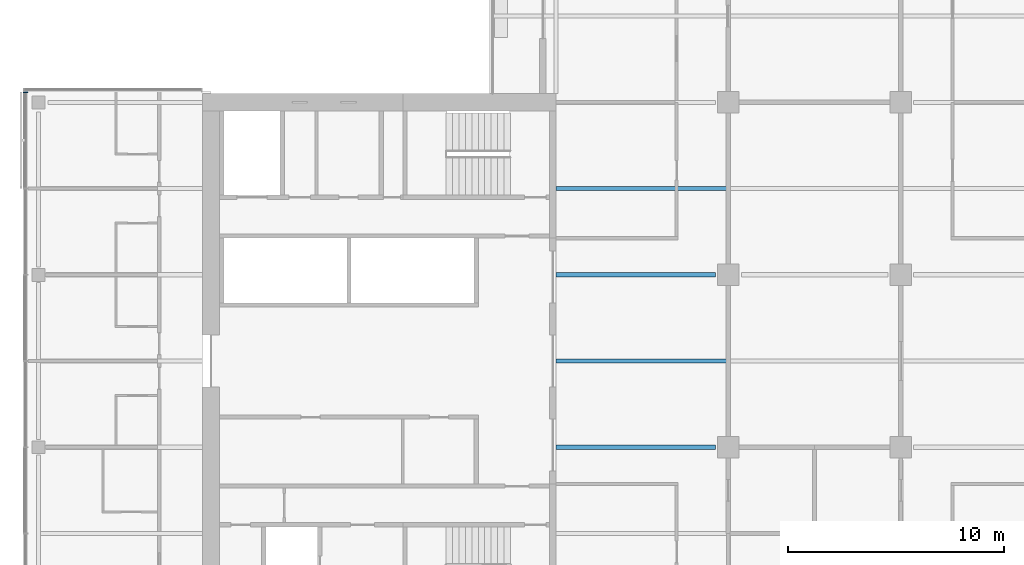
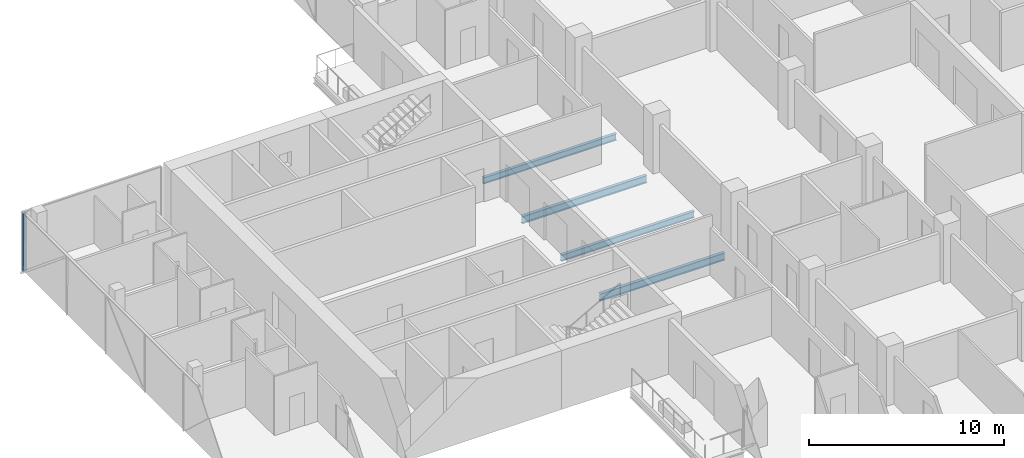
# One storey, part 6 of 25: 4 beams, 1 member, 1 element without a shape of its own.
"""IFC4 building model written with IfcOpenShell, lengths in metres."""

import ifcopenshell
import ifcopenshell.guid

model = None  # the IFC model being written
_history = None  # IfcOwnerHistory: only IFC2X3 demands one
_inside = {}  # id of a spatial element -> (the spatial element, [elements in it])
_under = {}  # id of a project, library or spatial element -> (it, [spatial elements below it])
_declared = {}  # id of a project -> (the project, [libraries it declares])
_typed = {}  # id of a type object -> (the type object, [elements of that type])
_made_of = {}  # id of a material, layer set ... -> (it, [elements and type objects made of it])


def new_model(schema):
    """Start an empty IFC model of exactly this schema.

    Asked for "IFC4X3", IfcOpenShell would pick the latest addendum, in which some entities
    have other attributes; the version numbers below select the first issue.
    IFC2X3 requires an IfcOwnerHistory on every rooted entity: one is made here for all.
    """
    global model, _history
    if schema == "IFC4X3":
        model = ifcopenshell.file(schema_version=(4, 3, 0, 0))
    else:
        model = ifcopenshell.file(schema=schema)
    _inside.clear()
    _under.clear()
    _declared.clear()
    _typed.clear()
    _made_of.clear()
    _history = None
    if model.schema == "IFC2X3":
        org = make("IfcOrganization", Name="unknown")
        user = make(
            "IfcPersonAndOrganization",
            ThePerson=make("IfcPerson", FamilyName="unknown"),
            TheOrganization=org,
        )
        app = make(
            "IfcApplication",
            ApplicationDeveloper=org,
            Version="unknown",
            ApplicationFullName="unknown",
            ApplicationIdentifier="unknown",
        )
        _history = make(
            "IfcOwnerHistory",
            OwningUser=user,
            OwningApplication=app,
            ChangeAction="ADDED",
            CreationDate=0,
        )
    return model


def make(cls, **values):
    """One entity of the class cls with the attributes given. An attribute that is None is left unset."""
    return model.create_entity(
        cls, **{name: value for name, value in values.items() if value is not None}
    )


def rooted(cls, **values):
    """An entity with a GlobalId (a new one), such as an element, a storey or a relation."""
    return make(cls, GlobalId=ifcopenshell.guid.new(), OwnerHistory=_history, **values)


def si_unit(unit_type, name, prefix=None):
    """IfcSIUnit, for example si_unit("LENGTHUNIT", "METRE", prefix="MILLI")."""
    return make("IfcSIUnit", UnitType=unit_type, Prefix=prefix, Name=name)


def assignment(units):
    """IfcUnitAssignment: the units of a project."""
    return None if units is None else make("IfcUnitAssignment", Units=units)


def point(xyz):
    """IfcCartesianPoint."""
    return None if xyz is None else make("IfcCartesianPoint", Coordinates=xyz)


def direction(xyz):
    """IfcDirection."""
    return None if xyz is None else make("IfcDirection", DirectionRatios=xyz)


def frame(location, z_axis=None, x_axis=None):
    """IfcAxis2Placement3D, a coordinate frame: its origin and axes. An axis left out is left unset."""
    return make(
        "IfcAxis2Placement3D",
        Location=point(location),
        Axis=direction(z_axis),
        RefDirection=direction(x_axis),
    )


def frame_2d(location, x_axis=None):
    """IfcAxis2Placement2D, a coordinate frame in the plane: its origin and x axis."""
    return make(
        "IfcAxis2Placement2D", Location=point(location), RefDirection=direction(x_axis)
    )


def origin():
    """The frame at (0, 0, 0) with its axes left unset."""
    return frame((0.0, 0.0, 0.0))


def origin_2d():
    """The frame at (0, 0) in the plane with its x axis left unset."""
    return frame_2d((0.0, 0.0))


def place(relative_to, where):
    """IfcLocalPlacement: puts the frame where relative to a parent placement (None: the world)."""
    return make(
        "IfcLocalPlacement", PlacementRelTo=relative_to, RelativePlacement=where
    )


def context(
    kind, dimensions, precision=None, world=None, true_north=None, identifier=None
):
    """IfcGeometricRepresentationContext, for example the 3D "Model" context."""
    return make(
        "IfcGeometricRepresentationContext",
        ContextIdentifier=identifier,
        ContextType=kind,
        CoordinateSpaceDimension=dimensions,
        Precision=precision,
        WorldCoordinateSystem=world,
        TrueNorth=true_north,
    )


def subcontext(parent, identifier, kind, view, scale=None):
    """IfcGeometricRepresentationSubContext, for example "Body" below "Model"."""
    return make(
        "IfcGeometricRepresentationSubContext",
        ContextIdentifier=identifier,
        ContextType=kind,
        ParentContext=parent,
        TargetScale=scale,
        TargetView=view,
    )


def project(units=None, contexts=None):
    """IfcProject with its units and contexts."""
    return rooted(
        "IfcProject",
        Name="project",
        RepresentationContexts=contexts,
        UnitsInContext=assignment(units),
    )


def spatial(cls, under=None, at=None, **own):
    """A site, building, storey or space (cls), placed at a placement, below another one or the project."""
    s = rooted(cls, ObjectPlacement=at, **own)
    if under is not None:
        _under.setdefault(under.id(), (under, []))[1].append(s)
    return s


def profile(cls, at=None, kind="AREA", **sizes):
    """A parametric profile (cls). Its sizes go by their IFC names, for example OverallWidth=200.0."""
    return make(cls, ProfileType=kind, Position=at, **sizes)


def rectangle(**sizes):
    """IfcRectangleProfileDef."""
    return profile("IfcRectangleProfileDef", **sizes)


def i_section(**sizes):
    """IfcIShapeProfileDef."""
    return profile("IfcIShapeProfileDef", **sizes)


def extrude(swept, where, along, depth):
    """IfcExtrudedAreaSolid: the profile swept, set in the frame where, extruded along a direction by depth."""
    return make(
        "IfcExtrudedAreaSolid",
        SweptArea=swept,
        Position=where,
        ExtrudedDirection=direction(along),
        Depth=depth,
    )


def shape(context_of_items, identifier, shape_type, items):
    """IfcShapeRepresentation: the items that make up one representation, for example the "Body"."""
    return make(
        "IfcShapeRepresentation",
        ContextOfItems=context_of_items,
        RepresentationIdentifier=identifier,
        RepresentationType=shape_type,
        Items=items,
    )


def material(Name=None, Category=None):
    """IfcMaterial."""
    return make("IfcMaterial", Name=Name, Category=Category)


def material_profile(
    of_material, cross_section, Name=None, Category=None, Priority=None
):
    """IfcMaterialProfile: a cross section and its material."""
    return make(
        "IfcMaterialProfile",
        Name=Name,
        Material=of_material,
        Profile=cross_section,
        Priority=Priority,
        Category=Category,
    )


def profile_set(profiles, Name=None, composite=None):
    """IfcMaterialProfileSet."""
    return make(
        "IfcMaterialProfileSet",
        Name=Name,
        MaterialProfiles=profiles,
        CompositeProfile=composite,
    )


def made_of(thing, what):
    """Note that an element or type object is made of a material, layer set ...; save() writes the relation."""
    if what is not None:
        _made_of.setdefault(what.id(), (what, []))[1].append(thing)
    return thing


def type_object(cls, material=None, **own):
    """A type object (cls), such as IfcWallType, which elements share."""
    return made_of(rooted(cls, **own), material)


def element(
    cls,
    number,
    at=None,
    inside=None,
    cuts=None,
    type_object=None,
    material=None,
    context=None,
    identifier="Body",
    shape_type=None,
    held_by="IfcProductDefinitionShape",
    body=None,
    shapes=None,
    **own,
):
    """One element of the class cls, such as IfcWall. Its Tag is "e" and its number.

    at: its placement. inside: the storey or other place that contains it. cuts: it is an
    opening in that element (IfcRelVoidsElement). A single representation is given by context,
    identifier, shape_type and body (its items); several are given by shapes. held_by: the class
    of the entity that holds the representations. save() writes the other relations.
    """
    e = rooted(cls, Tag="e%d" % number, ObjectPlacement=at, **own)
    if body is not None:
        shapes = [shape(context, identifier, shape_type, body)]
    if shapes is not None:
        e.Representation = make(held_by, Representations=shapes)
    if inside is not None:
        _inside.setdefault(inside.id(), (inside, []))[1].append(e)
    if cuts is not None:
        rooted(
            "IfcRelVoidsElement", RelatingBuildingElement=cuts, RelatedOpeningElement=e
        )
    if type_object is not None:
        _typed.setdefault(type_object.id(), (type_object, []))[1].append(e)
    return made_of(e, material)


def aggregate(whole, parts):
    """IfcRelAggregates: a whole, such as a stair, and the parts it consists of."""
    return rooted("IfcRelAggregates", RelatingObject=whole, RelatedObjects=parts)


def save(model, path):
    """Write the relations noted so far, then the file.

    IfcRelAggregates (storeys below a building ...), IfcRelContainedInSpatialStructure (elements
    in a storey), IfcRelDefinesByType, IfcRelAssociatesMaterial and IfcRelDeclares: one each for
    every whole, place, type object, material and project.
    """
    for whole, parts in _under.values():
        aggregate(whole, parts)
    for where, things in _inside.values():
        rooted(
            "IfcRelContainedInSpatialStructure",
            RelatedElements=things,
            RelatingStructure=where,
        )
    for kind, things in _typed.values():
        rooted("IfcRelDefinesByType", RelatedObjects=things, RelatingType=kind)
    for what, things in _made_of.values():
        rooted("IfcRelAssociatesMaterial", RelatedObjects=things, RelatingMaterial=what)
    for by, libraries in _declared.values():
        rooted("IfcRelDeclares", RelatingContext=by, RelatedDefinitions=libraries)
    model.write(path)


model = new_model("IFC4")

# Units and contexts
model_context = context("Model", 3, precision=1e-05, world=origin(), true_north=direction((0.0, 1.0)))
body_context = subcontext(model_context, "Body", "Model", "MODEL_VIEW")
ifc_project = project(units=[si_unit("LENGTHUNIT", "METRE"), si_unit("AREAUNIT", "SQUARE_METRE"), si_unit("VOLUMEUNIT", "CUBIC_METRE"), si_unit("PLANEANGLEUNIT", "RADIAN"), si_unit("MASSUNIT", "GRAM", prefix="KILO")], contexts=[model_context])

# Site, building, storey
site_placement = place(None, origin())
site = spatial("IfcSite", under=ifc_project, at=site_placement, CompositionType="ELEMENT")
building_placement = place(site_placement, origin())
building = spatial("IfcBuilding", under=site, at=building_placement, Name="Crosswind Convention Tower", CompositionType="ELEMENT")
storey_placement = place(building_placement, frame((0.0, 0.0, 97.89990234375)))
storey = spatial("IfcBuildingStorey", under=building, at=storey_placement, Name="L19", CompositionType="ELEMENT", Elevation=97.89990234375)

# Beams
ifc_material_1 = material(Name="Steel S355", Category="steel")
ifc_material_profile_1 = material_profile(ifc_material_1, i_section(OverallWidth=0.19189453125, OverallDepth=0.463623046875, WebThickness=0.010498046875, FlangeThickness=0.017578125, FilletRadius=0.01025390625, at=origin_2d()), Name="UB 457x191x90")
ifc_profile_set_1 = profile_set([ifc_material_profile_1], Name="Steel S355")
beam_type_1 = type_object("IfcBeamType", Name="Girder at core wall UB 457x191x90", PredefinedType="BEAM", material=ifc_profile_set_1)
for number, where, z_axis, x_axis, name in (
    (1, (113.0, 96.0, -0.51171875), (1.0, 0.0, 0.0), (0.0, 1.0, 0.0), "B24 L19 girder at core wall 4"),
    (2, (113.0, 104.0, -0.51171875), (1.0, 0.0, 0.0), (0.0, 1.0, 0.0), "B24 L19 girder at core wall 5"),
):
    element("IfcBeam", number, at=place(storey_placement, frame(where, z_axis=z_axis, x_axis=x_axis)), inside=storey, type_object=beam_type_1, Name=name, PredefinedType="BEAM", context=body_context, shape_type="SweptSolid", body=[
        extrude(i_section(OverallWidth=0.19189453125, OverallDepth=0.463623046875, WebThickness=0.010498046875, FlangeThickness=0.017578125, FilletRadius=0.01025390625, at=origin_2d()), origin(), (0.0, 0.0, 1.0), 7.39990234375),
    ])

# Curtain wall, member
ifc_material_2 = material(Name="Aluminium unitised curtain wall", Category="aluminium")
curtain_wall_type = type_object("IfcCurtainWallType", Name="HOTEL UNITISED WALL 200", PredefinedType="USERDEFINED", material=ifc_material_2)
curtain_wall_placement = place(storey_placement, origin())
curtain_wall = element("IfcCurtainWall", 3, at=curtain_wall_placement, inside=storey, type_object=curtain_wall_type, Name="CW2 L19 W-TIP 1", ObjectType="UNITISED", PredefinedType="USERDEFINED")
ifc_material_3 = material(Name="Aluminium mullion", Category="aluminium")
ifc_material_profile_2 = material_profile(ifc_material_3, rectangle(XDim=0.199951171875, YDim=0.06494140625, at=origin_2d()), Name="AL 200X65")
ifc_profile_set_2 = profile_set([ifc_material_profile_2], Name="Aluminium mullion")
member_type = type_object("IfcMemberType", Name="MULLION 65X200", PredefinedType="MULLION", material=ifc_profile_set_2)
member_placement = place(storey_placement, frame((88.39990234375, 112.467529296875, -0.27978515625), z_axis=(0.0, 0.0, 1.0), x_axis=(-1.0, 0.0, 0.0)))
member = element("IfcMember", 4, at=member_placement, type_object=member_type, Name="CW2 mullion 1", PredefinedType="MULLION", context=body_context, shape_type="SweptSolid", body=[
    extrude(rectangle(XDim=0.199951171875, YDim=0.06494140625, at=origin_2d()), origin(), (0.0, 0.0, 1.0), 3.634765625),
])
aggregate(curtain_wall, [member])

# Beams
ifc_material_profile_3 = material_profile(ifc_material_1, i_section(OverallWidth=0.177734375, OverallDepth=0.406494140625, WebThickness=0.0078125, FlangeThickness=0.0126953125, FilletRadius=0.01025390625, at=origin_2d()), Name="UB 406x178x60")
ifc_profile_set_3 = profile_set([ifc_material_profile_3], Name="Steel S355")
beam_type_2 = type_object("IfcBeamType", Name="Secondary beam UB 406x178x60", PredefinedType="JOIST", material=ifc_profile_set_3)
for number, where, z_axis, x_axis, name in (
    (5, (113.0, 100.0, -0.483154296875), (1.0, 0.0, 0.0), (0.0, 1.0, 0.0), "B10 L19 secondary beam 5"),
    (6, (113.0, 108.0, -0.483154296875), (1.0, 0.0, 0.0), (0.0, 1.0, 0.0), "B10 L19 secondary beam 6"),
):
    element("IfcBeam", number, at=place(storey_placement, frame(where, z_axis=z_axis, x_axis=x_axis)), inside=storey, type_object=beam_type_2, Name=name, PredefinedType="JOIST", context=body_context, shape_type="SweptSolid", body=[
        extrude(i_section(OverallWidth=0.177734375, OverallDepth=0.406494140625, WebThickness=0.0078125, FlangeThickness=0.0126953125, FilletRadius=0.01025390625, at=origin_2d()), origin(), (0.0, 0.0, 1.0), 7.904296875),
    ])

save(model, "model.ifc")
